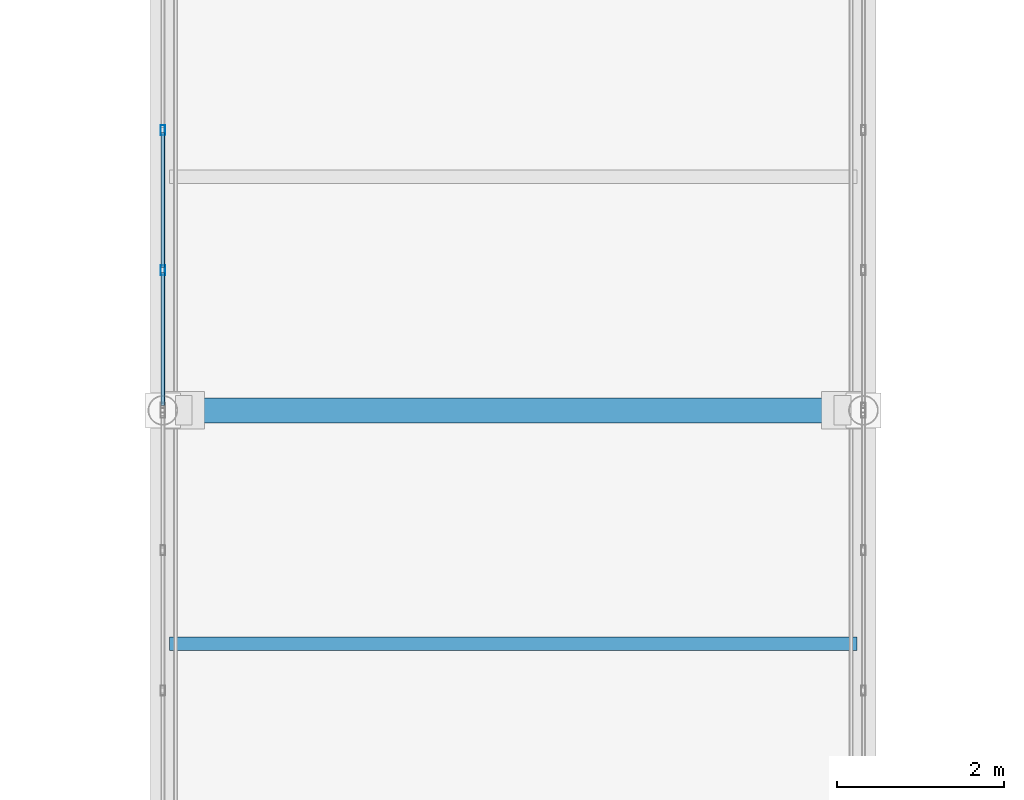
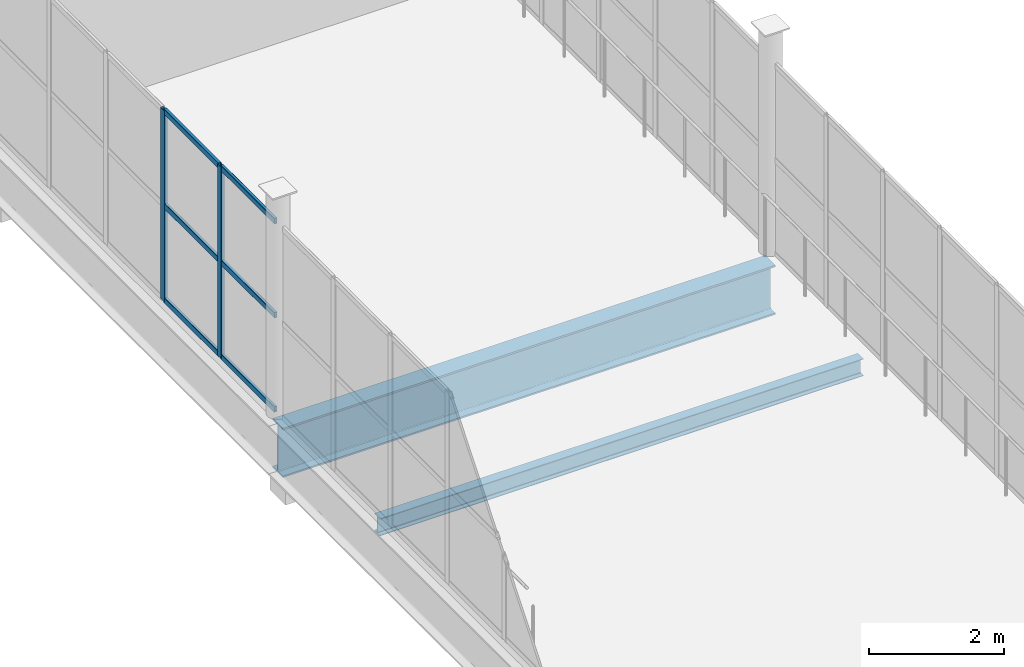
# One storey, part 64 of 184: 8 members, 2 beams, 1 element without a shape of its own.
"""IFC4 building model written with IfcOpenShell, lengths in metres."""

from ifc_helpers import new_model, si_unit, direction, frame, origin, origin_2d, place, context, subcontext, project, spatial, hollow_rectangle, i_section, extrude, material, layer, layer_set, material_profile, profile_set, type_object, element, aggregate, save


model = new_model("IFC4")

# Units and contexts
model_context = context("Model", 3, precision=1e-05, world=origin(), true_north=direction((0.0, 1.0)))
body_context = subcontext(model_context, "Body", "Model", "MODEL_VIEW")
ifc_project = project(units=[si_unit("LENGTHUNIT", "METRE"), si_unit("AREAUNIT", "SQUARE_METRE"), si_unit("VOLUMEUNIT", "CUBIC_METRE"), si_unit("PLANEANGLEUNIT", "RADIAN"), si_unit("MASSUNIT", "GRAM", prefix="KILO")], contexts=[model_context])

# Site, building, storey
site_placement = place(None, origin())
site = spatial("IfcSite", under=ifc_project, at=site_placement, CompositionType="ELEMENT")
building_placement = place(site_placement, origin())
building = spatial("IfcBuilding", under=site, at=building_placement, Name="Qalvenar Corner Mobility Hub", CompositionType="ELEMENT")
storey_placement = place(building_placement, frame((0.0, 0.0, 9.0)))
storey = spatial("IfcBuildingStorey", under=building, at=storey_placement, Name="L02", CompositionType="ELEMENT", Elevation=9.0)

# Beams
ifc_material_1 = material(Name="Steel S355", Category="steel")
ifc_material_profile_1 = material_profile(ifc_material_1, i_section(OverallWidth=0.300048828125, OverallDepth=0.889892578125, WebThickness=0.01611328125, FlangeThickness=0.030029296875, FilletRadius=0.027099609375, at=origin_2d()), Name="HEA900")
ifc_profile_set_1 = profile_set([ifc_material_profile_1], Name="Steel S355")
beam_type_1 = type_object("IfcBeamType", Name="BM-BRG900", PredefinedType="BEAM", material=ifc_profile_set_1)
beam_1_placement = place(storey_placement, frame((50.39990234375, 58.800048828125, -0.635009765625), z_axis=(1.0, 0.0, 0.0), x_axis=(0.0, 1.0, 0.0)))
element("IfcBeam", 1, at=beam_1_placement, inside=storey, type_object=beam_type_1, Name="Court Link Bridge Girder BRG-2171", PredefinedType="BEAM", context=body_context, shape_type="SweptSolid", body=[
    extrude(i_section(OverallWidth=0.300048828125, OverallDepth=0.889892578125, WebThickness=0.01611328125, FlangeThickness=0.030029296875, FilletRadius=0.027099609375, at=origin_2d()), origin(), (0.0, 0.0, 1.0), 8.400146484375),
])
ifc_material_profile_2 = material_profile(ifc_material_1, i_section(OverallWidth=0.1650390625, OverallDepth=0.31005859375, WebThickness=0.005859375, FlangeThickness=0.009765625, FilletRadius=0.011962890625, at=origin_2d()), Name="W310x38.7")
ifc_profile_set_2 = profile_set([ifc_material_profile_2], Name="Steel S355")
beam_type_2 = type_object("IfcBeamType", Name="BM-JST310", PredefinedType="JOIST", material=ifc_profile_set_2)
beam_2_placement = place(storey_placement, frame((50.47802734375, 56.0, -0.344970703125), z_axis=(1.0, 0.0, 0.0), x_axis=(0.0, 1.0, 0.0)))
element("IfcBeam", 2, at=beam_2_placement, inside=storey, type_object=beam_type_2, Name="Composite Floor Joist J-2185", PredefinedType="JOIST", context=body_context, shape_type="SweptSolid", body=[
    extrude(i_section(OverallWidth=0.1650390625, OverallDepth=0.31005859375, WebThickness=0.005859375, FlangeThickness=0.009765625, FilletRadius=0.011962890625, at=origin_2d()), origin(), (0.0, 0.0, 1.0), 8.243896484375),
])

# Curtain wall, members
ifc_material_2 = material(Name="Anodised Aluminium and Low-E Glazing", Category="aluminium")
ifc_layer = layer(ifc_material_2, 0.1201171875)
ifc_layer_set = layer_set([ifc_layer], Name="Anodised Aluminium and Low-E Glazing")
curtain_wall_type = type_object("IfcCurtainWallType", Name="CW-BRG-84X28", PredefinedType="NOTDEFINED", material=ifc_layer_set)
curtain_wall_placement = place(storey_placement, origin())
curtain_wall = element("IfcCurtainWall", 3, at=curtain_wall_placement, inside=storey, type_object=curtain_wall_type, Name="Glazed Curtain Wall CW-BRG-L02-W3", PredefinedType="NOTDEFINED")
ifc_material_3 = material(Name="Anodised Aluminium 6063-T6", Category="aluminium")
ifc_material_profile_3 = material_profile(ifc_material_3, hollow_rectangle(XDim=0.054931640625, YDim=0.1201171875, WallThickness=0.00341796875, InnerFilletRadius=0.00341796875, OuterFilletRadius=0.007080078125, at=origin_2d()), Name="RHS120x55x3.5")
ifc_profile_set_3 = profile_set([ifc_material_profile_3], Name="Anodised Aluminium 6063-T6")
member_type_1 = type_object("IfcMemberType", Name="CW-MUL120", PredefinedType="MULLION", material=ifc_profile_set_3)
member_1_placement = place(storey_placement, frame((50.39990234375, 62.159912109375, 0.0), z_axis=(0.0, 0.0, 1.0), x_axis=(1.0, 0.0, 0.0)))
member_1 = element("IfcMember", 4, at=member_1_placement, type_object=member_type_1, Name="CW-11 mullion 4", PredefinedType="MULLION", context=body_context, shape_type="SweptSolid", body=[
    extrude(hollow_rectangle(XDim=0.054931640625, YDim=0.1201171875, WallThickness=0.00341796875, InnerFilletRadius=0.00341796875, OuterFilletRadius=0.007080078125, at=origin_2d()), origin(), (0.0, 0.0, 1.0), 3.449951171875),
])
member_2_placement = place(storey_placement, frame((50.39990234375, 60.47998046875, 0.0), z_axis=(0.0, 0.0, 1.0), x_axis=(1.0, 0.0, 0.0)))
member_2 = element("IfcMember", 5, at=member_2_placement, type_object=member_type_1, Name="CW-11 mullion 5", PredefinedType="MULLION", context=body_context, shape_type="SweptSolid", body=[
    extrude(hollow_rectangle(XDim=0.054931640625, YDim=0.1201171875, WallThickness=0.00341796875, InnerFilletRadius=0.00341796875, OuterFilletRadius=0.007080078125, at=origin_2d()), origin(), (0.0, 0.0, 1.0), 3.449951171875),
])
ifc_material_profile_4 = material_profile(ifc_material_3, hollow_rectangle(XDim=0.050048828125, YDim=0.10009765625, WallThickness=0.0029296875, InnerFilletRadius=0.0029296875, OuterFilletRadius=0.006103515625, at=origin_2d()), Name="RHS100x50x3")
ifc_profile_set_4 = profile_set([ifc_material_profile_4], Name="Anodised Aluminium 6063-T6")
member_type_2 = type_object("IfcMemberType", Name="CW-TRN100", PredefinedType="USERDEFINED", material=ifc_profile_set_4)
member_3_placement = place(storey_placement, frame((50.39990234375, 62.1298828125, 0.027587890625), z_axis=(0.0, -1.0, 0.0), x_axis=(1.0, 0.0, 0.0)))
member_3 = element("IfcMember", 6, at=member_3_placement, type_object=member_type_2, Name="CW-11 transom 4.1", ObjectType="TRANSOM", PredefinedType="USERDEFINED", context=body_context, shape_type="SweptSolid", body=[
    extrude(hollow_rectangle(XDim=0.050048828125, YDim=0.10009765625, WallThickness=0.0029296875, InnerFilletRadius=0.0029296875, OuterFilletRadius=0.006103515625, at=origin_2d()), origin(), (0.0, 0.0, 1.0), 1.619873046875),
])
member_4_placement = place(storey_placement, frame((50.39990234375, 62.1298828125, 1.72509765625), z_axis=(0.0, -1.0, 0.0), x_axis=(1.0, 0.0, 0.0)))
member_4 = element("IfcMember", 7, at=member_4_placement, type_object=member_type_2, Name="CW-11 transom 4.2", ObjectType="TRANSOM", PredefinedType="USERDEFINED", context=body_context, shape_type="SweptSolid", body=[
    extrude(hollow_rectangle(XDim=0.050048828125, YDim=0.10009765625, WallThickness=0.0029296875, InnerFilletRadius=0.0029296875, OuterFilletRadius=0.006103515625, at=origin_2d()), origin(), (0.0, 0.0, 1.0), 1.619873046875),
])
member_5_placement = place(storey_placement, frame((50.39990234375, 62.1298828125, 3.422607421875), z_axis=(0.0, -1.0, 0.0), x_axis=(1.0, 0.0, 0.0)))
member_5 = element("IfcMember", 8, at=member_5_placement, type_object=member_type_2, Name="CW-11 transom 4.3", ObjectType="TRANSOM", PredefinedType="USERDEFINED", context=body_context, shape_type="SweptSolid", body=[
    extrude(hollow_rectangle(XDim=0.050048828125, YDim=0.10009765625, WallThickness=0.0029296875, InnerFilletRadius=0.0029296875, OuterFilletRadius=0.006103515625, at=origin_2d()), origin(), (0.0, 0.0, 1.0), 1.619873046875),
])
member_6_placement = place(storey_placement, frame((50.39990234375, 60.449951171875, 0.027587890625), z_axis=(0.0, -1.0, 0.0), x_axis=(1.0, 0.0, 0.0)))
member_6 = element("IfcMember", 9, at=member_6_placement, type_object=member_type_2, Name="CW-11 transom 5.1", ObjectType="TRANSOM", PredefinedType="USERDEFINED", context=body_context, shape_type="SweptSolid", body=[
    extrude(hollow_rectangle(XDim=0.050048828125, YDim=0.10009765625, WallThickness=0.0029296875, InnerFilletRadius=0.0029296875, OuterFilletRadius=0.006103515625, at=origin_2d()), origin(), (0.0, 0.0, 1.0), 1.58984375),
])
member_7_placement = place(storey_placement, frame((50.39990234375, 60.449951171875, 1.72509765625), z_axis=(0.0, -1.0, 0.0), x_axis=(1.0, 0.0, 0.0)))
member_7 = element("IfcMember", 10, at=member_7_placement, type_object=member_type_2, Name="CW-11 transom 5.2", ObjectType="TRANSOM", PredefinedType="USERDEFINED", context=body_context, shape_type="SweptSolid", body=[
    extrude(hollow_rectangle(XDim=0.050048828125, YDim=0.10009765625, WallThickness=0.0029296875, InnerFilletRadius=0.0029296875, OuterFilletRadius=0.006103515625, at=origin_2d()), origin(), (0.0, 0.0, 1.0), 1.58984375),
])
member_8_placement = place(storey_placement, frame((50.39990234375, 60.449951171875, 3.422607421875), z_axis=(0.0, -1.0, 0.0), x_axis=(1.0, 0.0, 0.0)))
member_8 = element("IfcMember", 11, at=member_8_placement, type_object=member_type_2, Name="CW-11 transom 5.3", ObjectType="TRANSOM", PredefinedType="USERDEFINED", context=body_context, shape_type="SweptSolid", body=[
    extrude(hollow_rectangle(XDim=0.050048828125, YDim=0.10009765625, WallThickness=0.0029296875, InnerFilletRadius=0.0029296875, OuterFilletRadius=0.006103515625, at=origin_2d()), origin(), (0.0, 0.0, 1.0), 1.58984375),
])
aggregate(curtain_wall, [member_1, member_2, member_3, member_4, member_5, member_6, member_7, member_8])

save(model, "model.ifc")
